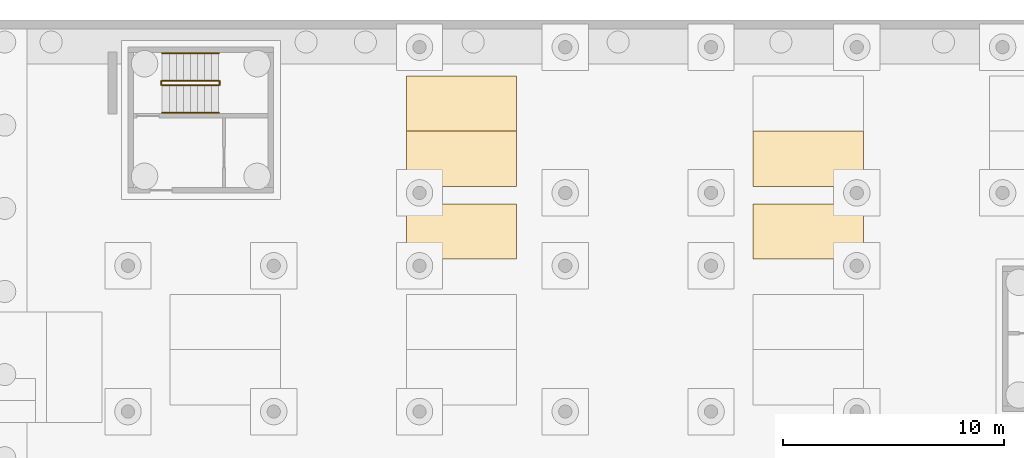
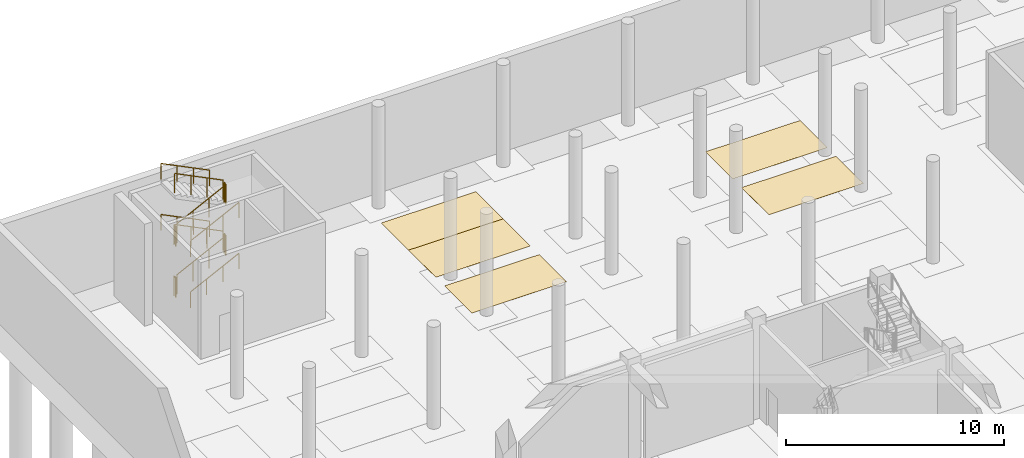
# One storey, part 35 of 38: 12 railings, 5 coverings.
"""IFC4 building model written with IfcOpenShell, lengths in metres."""

import ifcopenshell
import ifcopenshell.guid

model = None  # the IFC model being written
_history = None  # IfcOwnerHistory: only IFC2X3 demands one
_inside = {}  # id of a spatial element -> (the spatial element, [elements in it])
_under = {}  # id of a project, library or spatial element -> (it, [spatial elements below it])
_declared = {}  # id of a project -> (the project, [libraries it declares])
_typed = {}  # id of a type object -> (the type object, [elements of that type])
_made_of = {}  # id of a material, layer set ... -> (it, [elements and type objects made of it])


def new_model(schema):
    """Start an empty IFC model of exactly this schema.

    Asked for "IFC4X3", IfcOpenShell would pick the latest addendum, in which some entities
    have other attributes; the version numbers below select the first issue.
    IFC2X3 requires an IfcOwnerHistory on every rooted entity: one is made here for all.
    """
    global model, _history
    if schema == "IFC4X3":
        model = ifcopenshell.file(schema_version=(4, 3, 0, 0))
    else:
        model = ifcopenshell.file(schema=schema)
    _inside.clear()
    _under.clear()
    _declared.clear()
    _typed.clear()
    _made_of.clear()
    _history = None
    if model.schema == "IFC2X3":
        org = make("IfcOrganization", Name="unknown")
        user = make(
            "IfcPersonAndOrganization",
            ThePerson=make("IfcPerson", FamilyName="unknown"),
            TheOrganization=org,
        )
        app = make(
            "IfcApplication",
            ApplicationDeveloper=org,
            Version="unknown",
            ApplicationFullName="unknown",
            ApplicationIdentifier="unknown",
        )
        _history = make(
            "IfcOwnerHistory",
            OwningUser=user,
            OwningApplication=app,
            ChangeAction="ADDED",
            CreationDate=0,
        )
    return model


def make(cls, **values):
    """One entity of the class cls with the attributes given. An attribute that is None is left unset."""
    return model.create_entity(
        cls, **{name: value for name, value in values.items() if value is not None}
    )


def rooted(cls, **values):
    """An entity with a GlobalId (a new one), such as an element, a storey or a relation."""
    return make(cls, GlobalId=ifcopenshell.guid.new(), OwnerHistory=_history, **values)


def si_unit(unit_type, name, prefix=None):
    """IfcSIUnit, for example si_unit("LENGTHUNIT", "METRE", prefix="MILLI")."""
    return make("IfcSIUnit", UnitType=unit_type, Prefix=prefix, Name=name)


def assignment(units):
    """IfcUnitAssignment: the units of a project."""
    return None if units is None else make("IfcUnitAssignment", Units=units)


def point(xyz):
    """IfcCartesianPoint."""
    return None if xyz is None else make("IfcCartesianPoint", Coordinates=xyz)


def direction(xyz):
    """IfcDirection."""
    return None if xyz is None else make("IfcDirection", DirectionRatios=xyz)


def frame(location, z_axis=None, x_axis=None):
    """IfcAxis2Placement3D, a coordinate frame: its origin and axes. An axis left out is left unset."""
    return make(
        "IfcAxis2Placement3D",
        Location=point(location),
        Axis=direction(z_axis),
        RefDirection=direction(x_axis),
    )


def frame_2d(location, x_axis=None):
    """IfcAxis2Placement2D, a coordinate frame in the plane: its origin and x axis."""
    return make(
        "IfcAxis2Placement2D", Location=point(location), RefDirection=direction(x_axis)
    )


def origin():
    """The frame at (0, 0, 0) with its axes left unset."""
    return frame((0.0, 0.0, 0.0))


def origin_2d():
    """The frame at (0, 0) in the plane with its x axis left unset."""
    return frame_2d((0.0, 0.0))


def place(relative_to, where):
    """IfcLocalPlacement: puts the frame where relative to a parent placement (None: the world)."""
    return make(
        "IfcLocalPlacement", PlacementRelTo=relative_to, RelativePlacement=where
    )


def context(
    kind, dimensions, precision=None, world=None, true_north=None, identifier=None
):
    """IfcGeometricRepresentationContext, for example the 3D "Model" context."""
    return make(
        "IfcGeometricRepresentationContext",
        ContextIdentifier=identifier,
        ContextType=kind,
        CoordinateSpaceDimension=dimensions,
        Precision=precision,
        WorldCoordinateSystem=world,
        TrueNorth=true_north,
    )


def subcontext(parent, identifier, kind, view, scale=None):
    """IfcGeometricRepresentationSubContext, for example "Body" below "Model"."""
    return make(
        "IfcGeometricRepresentationSubContext",
        ContextIdentifier=identifier,
        ContextType=kind,
        ParentContext=parent,
        TargetScale=scale,
        TargetView=view,
    )


def project(units=None, contexts=None):
    """IfcProject with its units and contexts."""
    return rooted(
        "IfcProject",
        Name="project",
        RepresentationContexts=contexts,
        UnitsInContext=assignment(units),
    )


def spatial(cls, under=None, at=None, **own):
    """A site, building, storey or space (cls), placed at a placement, below another one or the project."""
    s = rooted(cls, ObjectPlacement=at, **own)
    if under is not None:
        _under.setdefault(under.id(), (under, []))[1].append(s)
    return s


def polyline(points):
    """IfcPolyline through the points."""
    return make("IfcPolyline", Points=[point(p) for p in points])


def profile(cls, at=None, kind="AREA", **sizes):
    """A parametric profile (cls). Its sizes go by their IFC names, for example OverallWidth=200.0."""
    return make(cls, ProfileType=kind, Position=at, **sizes)


def circle(**sizes):
    """IfcCircleProfileDef."""
    return profile("IfcCircleProfileDef", **sizes)


def outline(outer, holes=None, kind="AREA"):
    """IfcArbitraryClosedProfileDef: a profile drawn as a closed curve; with holes, ...WithVoids."""
    if holes is None:
        return make("IfcArbitraryClosedProfileDef", ProfileType=kind, OuterCurve=outer)
    return make(
        "IfcArbitraryProfileDefWithVoids",
        ProfileType=kind,
        OuterCurve=outer,
        InnerCurves=holes,
    )


def extrude(swept, where, along, depth):
    """IfcExtrudedAreaSolid: the profile swept, set in the frame where, extruded along a direction by depth."""
    return make(
        "IfcExtrudedAreaSolid",
        SweptArea=swept,
        Position=where,
        ExtrudedDirection=direction(along),
        Depth=depth,
    )


def shape(context_of_items, identifier, shape_type, items):
    """IfcShapeRepresentation: the items that make up one representation, for example the "Body"."""
    return make(
        "IfcShapeRepresentation",
        ContextOfItems=context_of_items,
        RepresentationIdentifier=identifier,
        RepresentationType=shape_type,
        Items=items,
    )


def material(Name=None, Category=None):
    """IfcMaterial."""
    return make("IfcMaterial", Name=Name, Category=Category)


def layer(
    of_material, thickness, ventilated=None, Name=None, Category=None, Priority=None
):
    """IfcMaterialLayer: one layer of a wall or slab, of a material (None: an air gap)."""
    return make(
        "IfcMaterialLayer",
        Material=of_material,
        LayerThickness=thickness,
        IsVentilated=ventilated,
        Name=Name,
        Category=Category,
        Priority=Priority,
    )


def layer_set(layers, Name=None):
    """IfcMaterialLayerSet."""
    return make("IfcMaterialLayerSet", MaterialLayers=layers, LayerSetName=Name)


def made_of(thing, what):
    """Note that an element or type object is made of a material, layer set ...; save() writes the relation."""
    if what is not None:
        _made_of.setdefault(what.id(), (what, []))[1].append(thing)
    return thing


def type_object(cls, material=None, **own):
    """A type object (cls), such as IfcWallType, which elements share."""
    return made_of(rooted(cls, **own), material)


def element(
    cls,
    number,
    at=None,
    inside=None,
    cuts=None,
    type_object=None,
    material=None,
    context=None,
    identifier="Body",
    shape_type=None,
    held_by="IfcProductDefinitionShape",
    body=None,
    shapes=None,
    **own,
):
    """One element of the class cls, such as IfcWall. Its Tag is "e" and its number.

    at: its placement. inside: the storey or other place that contains it. cuts: it is an
    opening in that element (IfcRelVoidsElement). A single representation is given by context,
    identifier, shape_type and body (its items); several are given by shapes. held_by: the class
    of the entity that holds the representations. save() writes the other relations.
    """
    e = rooted(cls, Tag="e%d" % number, ObjectPlacement=at, **own)
    if body is not None:
        shapes = [shape(context, identifier, shape_type, body)]
    if shapes is not None:
        e.Representation = make(held_by, Representations=shapes)
    if inside is not None:
        _inside.setdefault(inside.id(), (inside, []))[1].append(e)
    if cuts is not None:
        rooted(
            "IfcRelVoidsElement", RelatingBuildingElement=cuts, RelatedOpeningElement=e
        )
    if type_object is not None:
        _typed.setdefault(type_object.id(), (type_object, []))[1].append(e)
    return made_of(e, material)


def aggregate(whole, parts):
    """IfcRelAggregates: a whole, such as a stair, and the parts it consists of."""
    return rooted("IfcRelAggregates", RelatingObject=whole, RelatedObjects=parts)


def save(model, path):
    """Write the relations noted so far, then the file.

    IfcRelAggregates (storeys below a building ...), IfcRelContainedInSpatialStructure (elements
    in a storey), IfcRelDefinesByType, IfcRelAssociatesMaterial and IfcRelDeclares: one each for
    every whole, place, type object, material and project.
    """
    for whole, parts in _under.values():
        aggregate(whole, parts)
    for where, things in _inside.values():
        rooted(
            "IfcRelContainedInSpatialStructure",
            RelatedElements=things,
            RelatingStructure=where,
        )
    for kind, things in _typed.values():
        rooted("IfcRelDefinesByType", RelatedObjects=things, RelatingType=kind)
    for what, things in _made_of.values():
        rooted("IfcRelAssociatesMaterial", RelatedObjects=things, RelatingMaterial=what)
    for by, libraries in _declared.values():
        rooted("IfcRelDeclares", RelatingContext=by, RelatedDefinitions=libraries)
    model.write(path)


model = new_model("IFC4")

# Units and contexts
model_context = context("Model", 3, precision=1e-05, world=origin(), true_north=direction((0.0, 1.0)))
body_context = subcontext(model_context, "Body", "Model", "MODEL_VIEW")
ifc_project = project(units=[si_unit("LENGTHUNIT", "METRE"), si_unit("AREAUNIT", "SQUARE_METRE"), si_unit("VOLUMEUNIT", "CUBIC_METRE"), si_unit("PLANEANGLEUNIT", "RADIAN"), si_unit("MASSUNIT", "GRAM", prefix="KILO")], contexts=[model_context])

# Site, building, storey
site_placement = place(None, origin())
site = spatial("IfcSite", under=ifc_project, at=site_placement, CompositionType="ELEMENT")
building_placement = place(site_placement, origin())
building = spatial("IfcBuilding", under=site, at=building_placement, Name="Lantern Court Research Institute", CompositionType="ELEMENT")
storey_placement = place(building_placement, frame((0.0, 0.0, -5.699951171875)))
storey = spatial("IfcBuildingStorey", under=building, at=storey_placement, Name="B1", CompositionType="ELEMENT", Elevation=-5.699951171875)

# Coverings
ifc_material_1 = material(Name="Thermoplastic road marking paint")
ifc_layer = layer(ifc_material_1, 0.0029296875)
ifc_layer_set = layer_set([ifc_layer], Name="Thermoplastic road marking paint")
covering_type = type_object("IfcCoveringType", Name="Parking bay marking", PredefinedType="FLOORING", material=ifc_layer_set)
covering_1_placement = place(storey_placement, origin())
element("IfcCovering", 1, at=covering_1_placement, inside=storey, type_object=covering_type, Name="Parking bay marking 123", PredefinedType="FLOORING", context=body_context, shape_type="SweptSolid", body=[
    extrude(outline(polyline([(12.60009765625, 89.39990234375), (17.60009765625, 89.39990234375), (17.60009765625, 91.89990234375), (12.60009765625, 91.89990234375), (12.60009765625, 89.39990234375)])), origin(), (0.0, 0.0, 1.0), 0.0029296875),
])
covering_2_placement = place(storey_placement, origin())
element("IfcCovering", 2, at=covering_2_placement, inside=storey, type_object=covering_type, Name="Parking bay marking 124", PredefinedType="FLOORING", context=body_context, shape_type="SweptSolid", body=[
    extrude(outline(polyline([(28.300048828125, 89.39990234375), (33.300048828125, 89.39990234375), (33.300048828125, 91.89990234375), (28.300048828125, 91.89990234375), (28.300048828125, 89.39990234375)])), origin(), (0.0, 0.0, 1.0), 0.0029296875),
])
covering_3_placement = place(storey_placement, origin())
element("IfcCovering", 3, at=covering_3_placement, inside=storey, type_object=covering_type, Name="Parking bay marking 126", PredefinedType="FLOORING", context=body_context, shape_type="SweptSolid", body=[
    extrude(outline(polyline([(12.60009765625, 92.699951171875), (17.60009765625, 92.699951171875), (17.60009765625, 95.199951171875), (12.60009765625, 95.199951171875), (12.60009765625, 92.699951171875)])), origin(), (0.0, 0.0, 1.0), 0.0029296875),
])
covering_4_placement = place(storey_placement, origin())
element("IfcCovering", 4, at=covering_4_placement, inside=storey, type_object=covering_type, Name="Parking bay marking 127", PredefinedType="FLOORING", context=body_context, shape_type="SweptSolid", body=[
    extrude(outline(polyline([(28.300048828125, 92.699951171875), (33.300048828125, 92.699951171875), (33.300048828125, 95.199951171875), (28.300048828125, 95.199951171875), (28.300048828125, 92.699951171875)])), origin(), (0.0, 0.0, 1.0), 0.0029296875),
])
covering_5_placement = place(storey_placement, origin())
element("IfcCovering", 5, at=covering_5_placement, inside=storey, type_object=covering_type, Name="Parking bay marking 131", PredefinedType="FLOORING", context=body_context, shape_type="SweptSolid", body=[
    extrude(outline(polyline([(12.60009765625, 95.199951171875), (17.60009765625, 95.199951171875), (17.60009765625, 97.699951171875), (12.60009765625, 97.699951171875), (12.60009765625, 95.199951171875)])), origin(), (0.0, 0.0, 1.0), 0.0029296875),
])

# Railings
ifc_material_2 = material(Name="Structural steel S355", Category="steel")
railing_type_1 = type_object("IfcRailingType", Name="Stair guard 1100 steel", PredefinedType="GUARDRAIL", material=ifc_material_2)
railing_1_placement = place(storey_placement, frame((1.550048828125, 97.27490234375, 0.158203125)))
element("IfcRailing", 6, at=railing_1_placement, inside=storey, type_object=railing_type_1, Name="B1 ST-W1 stair guard 1", PredefinedType="GUARDRAIL", context=body_context, shape_type="SweptSolid", body=[
    extrude(circle(Radius=0.02392578125, at=origin_2d()), frame((0.0, 0.0, 1.076171875), z_axis=(0.896265777717, 0.0, 0.443517367974), x_axis=(0.0, 1.0, 0.0)), (0.0, 0.0, 1.0), 2.8564453125),
    extrude(circle(Radius=0.02099609375, at=origin_2d()), origin(), (0.0, 0.0, 1.0), 1.052001953125),
    extrude(circle(Radius=0.02099609375, at=origin_2d()), frame((0.853271484375, 0.0, 0.42236328125)), (0.0, 0.0, 1.0), 1.052001953125),
    extrude(circle(Radius=0.02099609375, at=origin_2d()), frame((1.706787109375, 0.0, 0.844482421875)), (0.0, 0.0, 1.0), 1.052001953125),
    extrude(circle(Radius=0.02099609375, at=origin_2d()), frame((2.56005859375, 0.0, 1.266845703125)), (0.0, 0.0, 1.0), 1.052001953125),
])
railing_2_placement = place(storey_placement, frame((4.159912109375, 97.300048828125, 1.425048828125)))
element("IfcRailing", 7, at=railing_2_placement, inside=storey, type_object=railing_type_1, Name="B1 ST-W1 stair guard 2", PredefinedType="GUARDRAIL", context=body_context, shape_type="SweptSolid", body=[
    extrude(circle(Radius=0.02392578125, at=origin_2d()), frame((0.0, 0.0, 1.076171875), z_axis=(0.0, 1.0, 0.0), x_axis=(-1.0, 0.0, 0.0)), (0.0, 0.0, 1.0), 0.14990234375),
    extrude(circle(Radius=0.02099609375, at=origin_2d()), origin(), (0.0, 0.0, 1.0), 1.052001953125),
    extrude(circle(Radius=0.02099609375, at=origin_2d()), frame((0.0, 0.14990234375, 0.0)), (0.0, 0.0, 1.0), 1.052001953125),
])
railing_3_placement = place(storey_placement, frame((4.110107421875, 97.47509765625, 1.583251953125)))
element("IfcRailing", 8, at=railing_3_placement, inside=storey, type_object=railing_type_1, Name="B1 ST-W1 stair guard 3", PredefinedType="GUARDRAIL", context=body_context, shape_type="SweptSolid", body=[
    extrude(circle(Radius=0.02392578125, at=origin_2d()), frame((0.0, 0.0, 1.076171875), z_axis=(-0.896299752543, 0.0, 0.443448704577), x_axis=(0.0, -1.0, 0.0)), (0.0, 0.0, 1.0), 2.856201171875),
    extrude(circle(Radius=0.02099609375, at=origin_2d()), origin(), (0.0, 0.0, 1.0), 1.052001953125),
    extrude(circle(Radius=0.02099609375, at=origin_2d()), frame((-0.853271484375, 0.0, 0.422119140625)), (0.0, 0.0, 1.0), 1.052001953125),
    extrude(circle(Radius=0.02099609375, at=origin_2d()), frame((-1.706787109375, 0.0, 0.844482421875)), (0.0, 0.0, 1.0), 1.052001953125),
    extrude(circle(Radius=0.02099609375, at=origin_2d()), frame((-2.56005859375, 0.0, 1.2666015625)), (0.0, 0.0, 1.0), 1.052001953125),
])
railing_4_placement = place(storey_placement, frame((1.5, 97.300048828125, 2.849853515625)))
element("IfcRailing", 9, at=railing_4_placement, inside=storey, type_object=railing_type_1, Name="B1 ST-W1 stair guard 4", PredefinedType="GUARDRAIL", context=body_context, shape_type="SweptSolid", body=[
    extrude(circle(Radius=0.02392578125, at=origin_2d()), frame((0.0, 0.0, 1.076171875), z_axis=(0.0, 1.0, 0.0), x_axis=(-1.0, 0.0, 0.0)), (0.0, 0.0, 1.0), 0.14990234375),
    extrude(circle(Radius=0.02099609375, at=origin_2d()), origin(), (0.0, 0.0, 1.0), 1.052001953125),
    extrude(circle(Radius=0.02099609375, at=origin_2d()), frame((0.0, 0.14990234375, 0.0)), (0.0, 0.0, 1.0), 1.052001953125),
])
railing_5_placement = place(storey_placement, frame((1.550048828125, 97.27490234375, 3.00830078125)))
element("IfcRailing", 10, at=railing_5_placement, inside=storey, type_object=railing_type_1, Name="B1 ST-W1 stair guard 5", PredefinedType="GUARDRAIL", context=body_context, shape_type="SweptSolid", body=[
    extrude(circle(Radius=0.02392578125, at=origin_2d()), frame((0.0, 0.0, 1.076171875), z_axis=(0.896299752543, 0.0, 0.443448704577), x_axis=(0.0, 1.0, 0.0)), (0.0, 0.0, 1.0), 2.856201171875),
    extrude(circle(Radius=0.02099609375, at=origin_2d()), origin(), (0.0, 0.0, 1.0), 1.052001953125),
    extrude(circle(Radius=0.02099609375, at=origin_2d()), frame((0.853271484375, 0.0, 0.422119140625)), (0.0, 0.0, 1.0), 1.052001953125),
    extrude(circle(Radius=0.02099609375, at=origin_2d()), frame((1.706787109375, 0.0, 0.844482421875)), (0.0, 0.0, 1.0), 1.052001953125),
    extrude(circle(Radius=0.02099609375, at=origin_2d()), frame((2.56005859375, 0.0, 1.2666015625)), (0.0, 0.0, 1.0), 1.052001953125),
])
railing_6_placement = place(storey_placement, frame((4.159912109375, 97.300048828125, 4.27490234375)))
element("IfcRailing", 11, at=railing_6_placement, inside=storey, type_object=railing_type_1, Name="B1 ST-W1 stair guard 6", PredefinedType="GUARDRAIL", context=body_context, shape_type="SweptSolid", body=[
    extrude(circle(Radius=0.02392578125, at=origin_2d()), frame((0.0, 0.0, 1.076171875), z_axis=(0.0, 1.0, 0.0), x_axis=(-1.0, 0.0, 0.0)), (0.0, 0.0, 1.0), 0.14990234375),
    extrude(circle(Radius=0.02099609375, at=origin_2d()), origin(), (0.0, 0.0, 1.0), 1.052001953125),
    extrude(circle(Radius=0.02099609375, at=origin_2d()), frame((0.0, 0.14990234375, 0.0)), (0.0, 0.0, 1.0), 1.052001953125),
])
railing_7_placement = place(storey_placement, frame((4.110107421875, 97.47509765625, 4.433349609375)))
element("IfcRailing", 12, at=railing_7_placement, inside=storey, type_object=railing_type_1, Name="B1 ST-W1 stair guard 7", PredefinedType="GUARDRAIL", context=body_context, shape_type="SweptSolid", body=[
    extrude(circle(Radius=0.02392578125, at=origin_2d()), frame((0.0, 0.0, 1.076171875), z_axis=(-0.896299752543, 0.0, 0.443448704577), x_axis=(0.0, -1.0, 0.0)), (0.0, 0.0, 1.0), 2.856201171875),
    extrude(circle(Radius=0.02099609375, at=origin_2d()), origin(), (0.0, 0.0, 1.0), 1.052001953125),
    extrude(circle(Radius=0.02099609375, at=origin_2d()), frame((-0.853271484375, 0.0, 0.422119140625)), (0.0, 0.0, 1.0), 1.052001953125),
    extrude(circle(Radius=0.02099609375, at=origin_2d()), frame((-1.706787109375, 0.0, 0.844482421875)), (0.0, 0.0, 1.0), 1.052001953125),
    extrude(circle(Radius=0.02099609375, at=origin_2d()), frame((-2.56005859375, 0.0, 1.2666015625)), (0.0, 0.0, 1.0), 1.052001953125),
])
railing_8_placement = place(storey_placement, frame((1.5, 97.300048828125, 0.0)))
element("IfcRailing", 13, at=railing_8_placement, inside=storey, type_object=railing_type_1, Name="B1 ST-W1 stair guard 8", PredefinedType="GUARDRAIL", context=body_context, shape_type="SweptSolid", body=[
    extrude(circle(Radius=0.02392578125, at=origin_2d()), frame((0.0, 0.0, 1.076171875), z_axis=(0.0, 1.0, 0.0), x_axis=(-1.0, 0.0, 0.0)), (0.0, 0.0, 1.0), 0.14990234375),
    extrude(circle(Radius=0.02099609375, at=origin_2d()), origin(), (0.0, 0.0, 1.0), 1.052001953125),
    extrude(circle(Radius=0.02099609375, at=origin_2d()), frame((0.0, 0.14990234375, 0.0)), (0.0, 0.0, 1.0), 1.052001953125),
])
ifc_material_3 = material(Name="Stainless steel 316", Category="steel")
railing_type_2 = type_object("IfcRailingType", Name="Stair handrail 900 steel", PredefinedType="HANDRAIL", material=ifc_material_3)
railing_9_placement = place(storey_placement, frame((1.550048828125, 96.02490234375, 0.158203125)))
element("IfcRailing", 14, at=railing_9_placement, inside=storey, type_object=railing_type_2, Name="B1 ST-W1 stair handrail 1", PredefinedType="HANDRAIL", context=body_context, shape_type="SweptSolid", body=[
    extrude(circle(Radius=0.02392578125, at=origin_2d()), frame((0.0, 0.0, 0.8759765625), z_axis=(0.896265777717, 0.0, 0.443517367974), x_axis=(0.0, 1.0, 0.0)), (0.0, 0.0, 1.0), 2.8564453125),
    extrude(circle(Radius=0.02099609375, at=origin_2d()), origin(), (0.0, 0.0, 1.0), 0.851806640625),
    extrude(circle(Radius=0.02099609375, at=origin_2d()), frame((0.853271484375, 0.0, 0.42236328125)), (0.0, 0.0, 1.0), 0.851806640625),
    extrude(circle(Radius=0.02099609375, at=origin_2d()), frame((1.706787109375, 0.0, 0.844482421875)), (0.0, 0.0, 1.0), 0.851806640625),
    extrude(circle(Radius=0.02099609375, at=origin_2d()), frame((2.56005859375, 0.0, 1.266845703125)), (0.0, 0.0, 1.0), 0.851806640625),
])
railing_10_placement = place(storey_placement, frame((4.110107421875, 98.72509765625, 1.583251953125)))
element("IfcRailing", 15, at=railing_10_placement, inside=storey, type_object=railing_type_2, Name="B1 ST-W1 stair handrail 2", PredefinedType="HANDRAIL", context=body_context, shape_type="SweptSolid", body=[
    extrude(circle(Radius=0.02392578125, at=origin_2d()), frame((0.0, 0.0, 0.8759765625), z_axis=(-0.896299752543, 0.0, 0.443448704577), x_axis=(0.0, -1.0, 0.0)), (0.0, 0.0, 1.0), 2.856201171875),
    extrude(circle(Radius=0.02099609375, at=origin_2d()), origin(), (0.0, 0.0, 1.0), 0.851806640625),
    extrude(circle(Radius=0.02099609375, at=origin_2d()), frame((-0.853271484375, 0.0, 0.422119140625)), (0.0, 0.0, 1.0), 0.851806640625),
    extrude(circle(Radius=0.02099609375, at=origin_2d()), frame((-1.706787109375, 0.0, 0.844482421875)), (0.0, 0.0, 1.0), 0.851806640625),
    extrude(circle(Radius=0.02099609375, at=origin_2d()), frame((-2.56005859375, 0.0, 1.2666015625)), (0.0, 0.0, 1.0), 0.851806640625),
])
railing_11_placement = place(storey_placement, frame((1.550048828125, 96.02490234375, 3.00830078125)))
element("IfcRailing", 16, at=railing_11_placement, inside=storey, type_object=railing_type_2, Name="B1 ST-W1 stair handrail 3", PredefinedType="HANDRAIL", context=body_context, shape_type="SweptSolid", body=[
    extrude(circle(Radius=0.02392578125, at=origin_2d()), frame((0.0, 0.0, 0.8759765625), z_axis=(0.896299752543, 0.0, 0.443448704577), x_axis=(0.0, 1.0, 0.0)), (0.0, 0.0, 1.0), 2.856201171875),
    extrude(circle(Radius=0.02099609375, at=origin_2d()), origin(), (0.0, 0.0, 1.0), 0.851806640625),
    extrude(circle(Radius=0.02099609375, at=origin_2d()), frame((0.853271484375, 0.0, 0.422119140625)), (0.0, 0.0, 1.0), 0.851806640625),
    extrude(circle(Radius=0.02099609375, at=origin_2d()), frame((1.706787109375, 0.0, 0.844482421875)), (0.0, 0.0, 1.0), 0.851806640625),
    extrude(circle(Radius=0.02099609375, at=origin_2d()), frame((2.56005859375, 0.0, 1.2666015625)), (0.0, 0.0, 1.0), 0.851806640625),
])
railing_12_placement = place(storey_placement, frame((4.110107421875, 98.72509765625, 4.433349609375)))
element("IfcRailing", 17, at=railing_12_placement, inside=storey, type_object=railing_type_2, Name="B1 ST-W1 stair handrail 4", PredefinedType="HANDRAIL", context=body_context, shape_type="SweptSolid", body=[
    extrude(circle(Radius=0.02392578125, at=origin_2d()), frame((0.0, 0.0, 0.8759765625), z_axis=(-0.896299752543, 0.0, 0.443448704577), x_axis=(0.0, -1.0, 0.0)), (0.0, 0.0, 1.0), 2.856201171875),
    extrude(circle(Radius=0.02099609375, at=origin_2d()), origin(), (0.0, 0.0, 1.0), 0.851806640625),
    extrude(circle(Radius=0.02099609375, at=origin_2d()), frame((-0.853271484375, 0.0, 0.422119140625)), (0.0, 0.0, 1.0), 0.851806640625),
    extrude(circle(Radius=0.02099609375, at=origin_2d()), frame((-1.706787109375, 0.0, 0.844482421875)), (0.0, 0.0, 1.0), 0.851806640625),
    extrude(circle(Radius=0.02099609375, at=origin_2d()), frame((-2.56005859375, 0.0, 1.2666015625)), (0.0, 0.0, 1.0), 0.851806640625),
])

save(model, "model.ifc")
